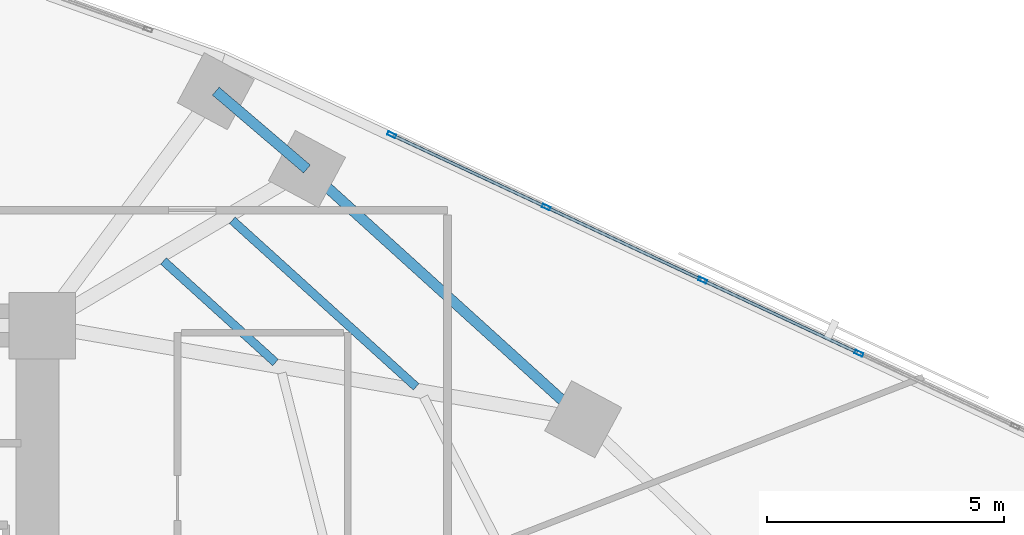
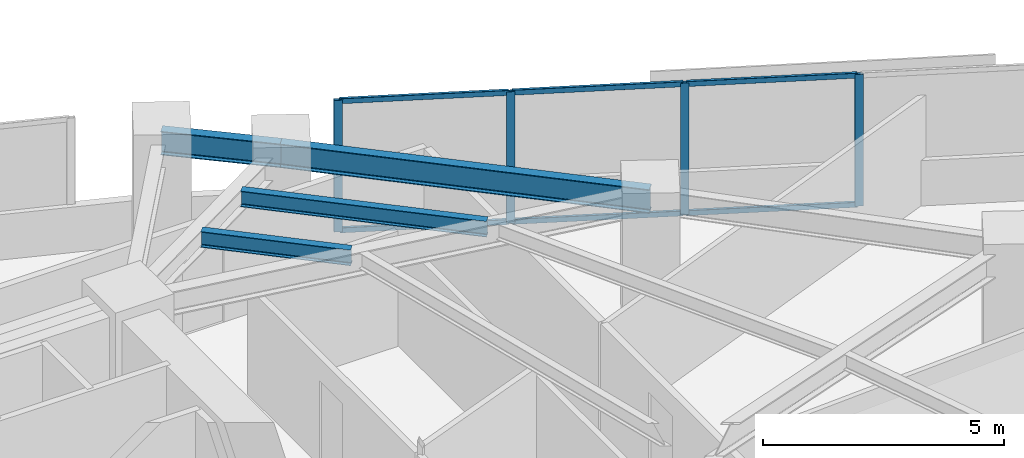
# One storey, part 4 of 17: 10 members, 4 beams, 1 element without a shape of its own.
"""IFC4 building model written with IfcOpenShell, lengths in metres."""

import ifcopenshell
import ifcopenshell.guid

model = None  # the IFC model being written
_history = None  # IfcOwnerHistory: only IFC2X3 demands one
_inside = {}  # id of a spatial element -> (the spatial element, [elements in it])
_under = {}  # id of a project, library or spatial element -> (it, [spatial elements below it])
_declared = {}  # id of a project -> (the project, [libraries it declares])
_typed = {}  # id of a type object -> (the type object, [elements of that type])
_made_of = {}  # id of a material, layer set ... -> (it, [elements and type objects made of it])


def new_model(schema):
    """Start an empty IFC model of exactly this schema.

    Asked for "IFC4X3", IfcOpenShell would pick the latest addendum, in which some entities
    have other attributes; the version numbers below select the first issue.
    IFC2X3 requires an IfcOwnerHistory on every rooted entity: one is made here for all.
    """
    global model, _history
    if schema == "IFC4X3":
        model = ifcopenshell.file(schema_version=(4, 3, 0, 0))
    else:
        model = ifcopenshell.file(schema=schema)
    _inside.clear()
    _under.clear()
    _declared.clear()
    _typed.clear()
    _made_of.clear()
    _history = None
    if model.schema == "IFC2X3":
        org = make("IfcOrganization", Name="unknown")
        user = make(
            "IfcPersonAndOrganization",
            ThePerson=make("IfcPerson", FamilyName="unknown"),
            TheOrganization=org,
        )
        app = make(
            "IfcApplication",
            ApplicationDeveloper=org,
            Version="unknown",
            ApplicationFullName="unknown",
            ApplicationIdentifier="unknown",
        )
        _history = make(
            "IfcOwnerHistory",
            OwningUser=user,
            OwningApplication=app,
            ChangeAction="ADDED",
            CreationDate=0,
        )
    return model


def make(cls, **values):
    """One entity of the class cls with the attributes given. An attribute that is None is left unset."""
    return model.create_entity(
        cls, **{name: value for name, value in values.items() if value is not None}
    )


def rooted(cls, **values):
    """An entity with a GlobalId (a new one), such as an element, a storey or a relation."""
    return make(cls, GlobalId=ifcopenshell.guid.new(), OwnerHistory=_history, **values)


def si_unit(unit_type, name, prefix=None):
    """IfcSIUnit, for example si_unit("LENGTHUNIT", "METRE", prefix="MILLI")."""
    return make("IfcSIUnit", UnitType=unit_type, Prefix=prefix, Name=name)


def assignment(units):
    """IfcUnitAssignment: the units of a project."""
    return None if units is None else make("IfcUnitAssignment", Units=units)


def point(xyz):
    """IfcCartesianPoint."""
    return None if xyz is None else make("IfcCartesianPoint", Coordinates=xyz)


def direction(xyz):
    """IfcDirection."""
    return None if xyz is None else make("IfcDirection", DirectionRatios=xyz)


def frame(location, z_axis=None, x_axis=None):
    """IfcAxis2Placement3D, a coordinate frame: its origin and axes. An axis left out is left unset."""
    return make(
        "IfcAxis2Placement3D",
        Location=point(location),
        Axis=direction(z_axis),
        RefDirection=direction(x_axis),
    )


def frame_2d(location, x_axis=None):
    """IfcAxis2Placement2D, a coordinate frame in the plane: its origin and x axis."""
    return make(
        "IfcAxis2Placement2D", Location=point(location), RefDirection=direction(x_axis)
    )


def origin():
    """The frame at (0, 0, 0) with its axes left unset."""
    return frame((0.0, 0.0, 0.0))


def origin_2d():
    """The frame at (0, 0) in the plane with its x axis left unset."""
    return frame_2d((0.0, 0.0))


def place(relative_to, where):
    """IfcLocalPlacement: puts the frame where relative to a parent placement (None: the world)."""
    return make(
        "IfcLocalPlacement", PlacementRelTo=relative_to, RelativePlacement=where
    )


def context(
    kind, dimensions, precision=None, world=None, true_north=None, identifier=None
):
    """IfcGeometricRepresentationContext, for example the 3D "Model" context."""
    return make(
        "IfcGeometricRepresentationContext",
        ContextIdentifier=identifier,
        ContextType=kind,
        CoordinateSpaceDimension=dimensions,
        Precision=precision,
        WorldCoordinateSystem=world,
        TrueNorth=true_north,
    )


def subcontext(parent, identifier, kind, view, scale=None):
    """IfcGeometricRepresentationSubContext, for example "Body" below "Model"."""
    return make(
        "IfcGeometricRepresentationSubContext",
        ContextIdentifier=identifier,
        ContextType=kind,
        ParentContext=parent,
        TargetScale=scale,
        TargetView=view,
    )


def project(units=None, contexts=None):
    """IfcProject with its units and contexts."""
    return rooted(
        "IfcProject",
        Name="project",
        RepresentationContexts=contexts,
        UnitsInContext=assignment(units),
    )


def spatial(cls, under=None, at=None, **own):
    """A site, building, storey or space (cls), placed at a placement, below another one or the project."""
    s = rooted(cls, ObjectPlacement=at, **own)
    if under is not None:
        _under.setdefault(under.id(), (under, []))[1].append(s)
    return s


def profile(cls, at=None, kind="AREA", **sizes):
    """A parametric profile (cls). Its sizes go by their IFC names, for example OverallWidth=200.0."""
    return make(cls, ProfileType=kind, Position=at, **sizes)


def hollow_rectangle(**sizes):
    """IfcRectangleHollowProfileDef."""
    return profile("IfcRectangleHollowProfileDef", **sizes)


def i_section(**sizes):
    """IfcIShapeProfileDef."""
    return profile("IfcIShapeProfileDef", **sizes)


def extrude(swept, where, along, depth):
    """IfcExtrudedAreaSolid: the profile swept, set in the frame where, extruded along a direction by depth."""
    return make(
        "IfcExtrudedAreaSolid",
        SweptArea=swept,
        Position=where,
        ExtrudedDirection=direction(along),
        Depth=depth,
    )


def shape(context_of_items, identifier, shape_type, items):
    """IfcShapeRepresentation: the items that make up one representation, for example the "Body"."""
    return make(
        "IfcShapeRepresentation",
        ContextOfItems=context_of_items,
        RepresentationIdentifier=identifier,
        RepresentationType=shape_type,
        Items=items,
    )


def material(Name=None, Category=None):
    """IfcMaterial."""
    return make("IfcMaterial", Name=Name, Category=Category)


def material_profile(
    of_material, cross_section, Name=None, Category=None, Priority=None
):
    """IfcMaterialProfile: a cross section and its material."""
    return make(
        "IfcMaterialProfile",
        Name=Name,
        Material=of_material,
        Profile=cross_section,
        Priority=Priority,
        Category=Category,
    )


def profile_set(profiles, Name=None, composite=None):
    """IfcMaterialProfileSet."""
    return make(
        "IfcMaterialProfileSet",
        Name=Name,
        MaterialProfiles=profiles,
        CompositeProfile=composite,
    )


def made_of(thing, what):
    """Note that an element or type object is made of a material, layer set ...; save() writes the relation."""
    if what is not None:
        _made_of.setdefault(what.id(), (what, []))[1].append(thing)
    return thing


def type_object(cls, material=None, **own):
    """A type object (cls), such as IfcWallType, which elements share."""
    return made_of(rooted(cls, **own), material)


def element(
    cls,
    number,
    at=None,
    inside=None,
    cuts=None,
    type_object=None,
    material=None,
    context=None,
    identifier="Body",
    shape_type=None,
    held_by="IfcProductDefinitionShape",
    body=None,
    shapes=None,
    **own,
):
    """One element of the class cls, such as IfcWall. Its Tag is "e" and its number.

    at: its placement. inside: the storey or other place that contains it. cuts: it is an
    opening in that element (IfcRelVoidsElement). A single representation is given by context,
    identifier, shape_type and body (its items); several are given by shapes. held_by: the class
    of the entity that holds the representations. save() writes the other relations.
    """
    e = rooted(cls, Tag="e%d" % number, ObjectPlacement=at, **own)
    if body is not None:
        shapes = [shape(context, identifier, shape_type, body)]
    if shapes is not None:
        e.Representation = make(held_by, Representations=shapes)
    if inside is not None:
        _inside.setdefault(inside.id(), (inside, []))[1].append(e)
    if cuts is not None:
        rooted(
            "IfcRelVoidsElement", RelatingBuildingElement=cuts, RelatedOpeningElement=e
        )
    if type_object is not None:
        _typed.setdefault(type_object.id(), (type_object, []))[1].append(e)
    return made_of(e, material)


def aggregate(whole, parts):
    """IfcRelAggregates: a whole, such as a stair, and the parts it consists of."""
    return rooted("IfcRelAggregates", RelatingObject=whole, RelatedObjects=parts)


def save(model, path):
    """Write the relations noted so far, then the file.

    IfcRelAggregates (storeys below a building ...), IfcRelContainedInSpatialStructure (elements
    in a storey), IfcRelDefinesByType, IfcRelAssociatesMaterial and IfcRelDeclares: one each for
    every whole, place, type object, material and project.
    """
    for whole, parts in _under.values():
        aggregate(whole, parts)
    for where, things in _inside.values():
        rooted(
            "IfcRelContainedInSpatialStructure",
            RelatedElements=things,
            RelatingStructure=where,
        )
    for kind, things in _typed.values():
        rooted("IfcRelDefinesByType", RelatedObjects=things, RelatingType=kind)
    for what, things in _made_of.values():
        rooted("IfcRelAssociatesMaterial", RelatedObjects=things, RelatingMaterial=what)
    for by, libraries in _declared.values():
        rooted("IfcRelDeclares", RelatingContext=by, RelatedDefinitions=libraries)
    model.write(path)


model = new_model("IFC4")

# Units and contexts
model_context = context("Model", 3, precision=1e-05, world=origin(), true_north=direction((0.0, 1.0)))
body_context = subcontext(model_context, "Body", "Model", "MODEL_VIEW")
ifc_project = project(units=[si_unit("LENGTHUNIT", "METRE"), si_unit("AREAUNIT", "SQUARE_METRE"), si_unit("VOLUMEUNIT", "CUBIC_METRE"), si_unit("PLANEANGLEUNIT", "RADIAN"), si_unit("MASSUNIT", "GRAM", prefix="KILO")], contexts=[model_context])

# Site, building, storey
site_placement = place(None, origin())
site = spatial("IfcSite", under=ifc_project, at=site_placement, CompositionType="ELEMENT")
building_placement = place(site_placement, origin())
building = spatial("IfcBuilding", under=site, at=building_placement, Name="Narakoshi Arena Tower", CompositionType="ELEMENT")
storey_placement = place(building_placement, frame((0.0, 0.0, 139.5)))
storey = spatial("IfcBuildingStorey", under=building, at=storey_placement, Name="L37", CompositionType="ELEMENT", Elevation=139.5)

# Beams
ifc_material_1 = material(Name="Structural steel S355J2", Category="steel")
ifc_material_profile_1 = material_profile(ifc_material_1, i_section(OverallWidth=0.219970703125, OverallDepth=0.60009765625, WebThickness=0.011962890625, FlangeThickness=0.01904296875, FilletRadius=0.02392578125, at=origin_2d()), Name="IPE600")
ifc_profile_set_1 = profile_set([ifc_material_profile_1], Name="Structural steel S355J2")
beam_type_1 = type_object("IfcBeamType", Name="BM-EDGE-600", PredefinedType="BEAM", material=ifc_profile_set_1)
beam_1_placement = place(storey_placement, frame((96.9443359375, 54.528076171875, 3.0400390625), z_axis=(-0.741140720169, 0.671349709844, 0.0), x_axis=(-0.671349709844, -0.741140720169, 0.0)))
element("IfcBeam", 1, at=beam_1_placement, inside=storey, type_object=beam_type_1, Name="L37 Perimeter Edge Girder 06", PredefinedType="BEAM", context=body_context, shape_type="SweptSolid", body=[
    extrude(i_section(OverallWidth=0.219970703125, OverallDepth=0.60009765625, WebThickness=0.011962890625, FlangeThickness=0.01904296875, FilletRadius=0.02392578125, at=origin_2d()), origin(), (0.0, 0.0, 1.0), 7.849853515625),
])
beam_2_placement = place(storey_placement, frame((91.12646484375, 59.798095703125, 3.0400390625), z_axis=(-0.760388602298, 0.649468377595, 0.0), x_axis=(-0.649468377595, -0.760388602298, 0.0)))
element("IfcBeam", 2, at=beam_2_placement, inside=storey, type_object=beam_type_1, Name="L37 Perimeter Edge Girder 07", PredefinedType="BEAM", context=body_context, shape_type="SweptSolid", body=[
    extrude(i_section(OverallWidth=0.219970703125, OverallDepth=0.60009765625, WebThickness=0.011962890625, FlangeThickness=0.01904296875, FilletRadius=0.02392578125, at=origin_2d()), origin(), (0.0, 0.0, 1.0), 2.524658203125),
])
ifc_material_profile_2 = material_profile(ifc_material_1, i_section(OverallWidth=0.179931640625, OverallDepth=0.39990234375, WebThickness=0.008544921875, FlangeThickness=0.013427734375, FilletRadius=0.02099609375, at=origin_2d()), Name="IPE400")
ifc_profile_set_2 = profile_set([ifc_material_profile_2], Name="Structural steel S355J2")
beam_type_2 = type_object("IfcBeamType", Name="BM-SEC-400", PredefinedType="JOIST", material=ifc_profile_set_2)
beam_3_placement = place(storey_placement, frame((90.46337890625, 55.722900390625, 3.139892578125), z_axis=(-0.741097827097, 0.671397058879, 0.0), x_axis=(-0.671397058879, -0.741097827097, 0.0)))
element("IfcBeam", 3, at=beam_3_placement, inside=storey, type_object=beam_type_2, Name="L37 Composite Secondary Floor Joist 05", PredefinedType="JOIST", context=body_context, shape_type="SweptSolid", body=[
    extrude(i_section(OverallWidth=0.179931640625, OverallDepth=0.39990234375, WebThickness=0.008544921875, FlangeThickness=0.013427734375, FilletRadius=0.02099609375, at=origin_2d()), origin(), (0.0, 0.0, 1.0), 3.183837890625),
])
beam_4_placement = place(storey_placement, frame((93.426025390625, 55.210205078125, 3.139892578125), z_axis=(-0.741148224451, 0.671341425351, 0.0), x_axis=(-0.671341425351, -0.741148224451, 0.0)))
element("IfcBeam", 4, at=beam_4_placement, inside=storey, type_object=beam_type_2, Name="L37 Composite Secondary Floor Joist 06", PredefinedType="JOIST", context=body_context, shape_type="SweptSolid", body=[
    extrude(i_section(OverallWidth=0.179931640625, OverallDepth=0.39990234375, WebThickness=0.008544921875, FlangeThickness=0.013427734375, FilletRadius=0.02099609375, at=origin_2d()), origin(), (0.0, 0.0, 1.0), 5.22509765625),
])

# Curtain wall, members
ifc_material_2 = material(Name="Anodised bronze aluminium 6063-T6", Category="aluminium")
curtain_wall_type = type_object("IfcCurtainWallType", Name="CW-HYP-MID", PredefinedType="NOTDEFINED", material=ifc_material_2)
curtain_wall_placement = place(storey_placement, origin())
curtain_wall = element("IfcCurtainWall", 5, at=curtain_wall_placement, inside=storey, type_object=curtain_wall_type, Name="L37 Folded Hypotenuse Curtain Wall 1-1", PredefinedType="NOTDEFINED")
ifc_material_profile_3 = material_profile(ifc_material_2, hollow_rectangle(XDim=0.074951171875, YDim=0.179931640625, WallThickness=0.00390625, OuterFilletRadius=0.0048828125, at=origin_2d()), Name="MUL180x75x4")
ifc_profile_set_3 = profile_set([ifc_material_profile_3], Name="Anodised bronze aluminium 6063-T6")
member_type_1 = type_object("IfcMemberType", Name="MEM-MUL-180", PredefinedType="MULLION", material=ifc_profile_set_3)
member_1_placement = place(storey_placement, frame((102.75048828125, 55.917236328125, 0.0), z_axis=(0.0, 0.0, 1.0), x_axis=(-0.423531721612, -0.905881273009, 0.0)))
member_1 = element("IfcMember", 6, at=member_1_placement, type_object=member_type_1, Name="CW-02 mullion 6", PredefinedType="MULLION", context=body_context, shape_type="SweptSolid", body=[
    extrude(hollow_rectangle(XDim=0.074951171875, YDim=0.179931640625, WallThickness=0.00390625, OuterFilletRadius=0.0048828125, at=origin_2d()), origin(), (0.0, 0.0, 1.0), 3.340087890625),
])
member_2_placement = place(storey_placement, frame((99.458984375, 57.4560546875, 0.0), z_axis=(0.0, 0.0, 1.0), x_axis=(-0.423531721612, -0.905881273009, 0.0)))
member_2 = element("IfcMember", 7, at=member_2_placement, type_object=member_type_1, Name="CW-02 mullion 7", PredefinedType="MULLION", context=body_context, shape_type="SweptSolid", body=[
    extrude(hollow_rectangle(XDim=0.074951171875, YDim=0.179931640625, WallThickness=0.00390625, OuterFilletRadius=0.0048828125, at=origin_2d()), origin(), (0.0, 0.0, 1.0), 3.340087890625),
])
member_3_placement = place(storey_placement, frame((96.16748046875, 58.994873046875, 0.0), z_axis=(0.0, 0.0, 1.0), x_axis=(-0.423531721612, -0.905881273009, 0.0)))
member_3 = element("IfcMember", 8, at=member_3_placement, type_object=member_type_1, Name="CW-02 mullion 8", PredefinedType="MULLION", context=body_context, shape_type="SweptSolid", body=[
    extrude(hollow_rectangle(XDim=0.074951171875, YDim=0.179931640625, WallThickness=0.00390625, OuterFilletRadius=0.0048828125, at=origin_2d()), origin(), (0.0, 0.0, 1.0), 3.340087890625),
])
member_4_placement = place(storey_placement, frame((92.91015625, 60.517822265625, 0.0), z_axis=(0.0, 0.0, 1.0), x_axis=(-0.423531721612, -0.905881273009, 0.0)))
member_4 = element("IfcMember", 9, at=member_4_placement, type_object=member_type_1, Name="CW-02 mullion 9", PredefinedType="MULLION", context=body_context, shape_type="SweptSolid", body=[
    extrude(hollow_rectangle(XDim=0.074951171875, YDim=0.179931640625, WallThickness=0.00390625, OuterFilletRadius=0.0048828125, at=origin_2d()), origin(), (0.0, 0.0, 1.0), 3.340087890625),
])
ifc_material_profile_4 = material_profile(ifc_material_2, hollow_rectangle(XDim=0.06494140625, YDim=0.1298828125, WallThickness=0.00390625, OuterFilletRadius=0.0048828125, at=origin_2d()), Name="TRN130x65x4")
ifc_profile_set_4 = profile_set([ifc_material_profile_4], Name="Anodised bronze aluminium 6063-T6")
member_type_2 = type_object("IfcMemberType", Name="MEM-TRN-130", PredefinedType="USERDEFINED", material=ifc_profile_set_4)
member_5_placement = place(storey_placement, frame((102.716552734375, 55.93310546875, 0.032470703125), z_axis=(-0.905877908574, 0.423538917642, 0.0), x_axis=(-0.423538917642, -0.905877908574, 0.0)))
member_5 = element("IfcMember", 10, at=member_5_placement, type_object=member_type_2, Name="CW-02 transom 6.1", ObjectType="TRANSOM", PredefinedType="USERDEFINED", context=body_context, shape_type="SweptSolid", body=[
    extrude(hollow_rectangle(XDim=0.06494140625, YDim=0.1298828125, WallThickness=0.00390625, OuterFilletRadius=0.0048828125, at=origin_2d()), origin(), (0.0, 0.0, 1.0), 3.558349609375),
])
member_6_placement = place(storey_placement, frame((102.716552734375, 55.93310546875, 3.3076171875), z_axis=(-0.905877908574, 0.423538917642, 0.0), x_axis=(-0.423538917642, -0.905877908574, 0.0)))
member_6 = element("IfcMember", 11, at=member_6_placement, type_object=member_type_2, Name="CW-02 transom 6.2", ObjectType="TRANSOM", PredefinedType="USERDEFINED", context=body_context, shape_type="SweptSolid", body=[
    extrude(hollow_rectangle(XDim=0.06494140625, YDim=0.1298828125, WallThickness=0.00390625, OuterFilletRadius=0.0048828125, at=origin_2d()), origin(), (0.0, 0.0, 1.0), 3.558349609375),
])
member_7_placement = place(storey_placement, frame((99.425048828125, 57.471923828125, 0.032470703125), z_axis=(-0.905877908574, 0.423538917642, 0.0), x_axis=(-0.423538917642, -0.905877908574, 0.0)))
member_7 = element("IfcMember", 12, at=member_7_placement, type_object=member_type_2, Name="CW-02 transom 7.1", ObjectType="TRANSOM", PredefinedType="USERDEFINED", context=body_context, shape_type="SweptSolid", body=[
    extrude(hollow_rectangle(XDim=0.06494140625, YDim=0.1298828125, WallThickness=0.00390625, OuterFilletRadius=0.0048828125, at=origin_2d()), origin(), (0.0, 0.0, 1.0), 3.558349609375),
])
member_8_placement = place(storey_placement, frame((99.425048828125, 57.471923828125, 3.3076171875), z_axis=(-0.905877908574, 0.423538917642, 0.0), x_axis=(-0.423538917642, -0.905877908574, 0.0)))
member_8 = element("IfcMember", 13, at=member_8_placement, type_object=member_type_2, Name="CW-02 transom 7.2", ObjectType="TRANSOM", PredefinedType="USERDEFINED", context=body_context, shape_type="SweptSolid", body=[
    extrude(hollow_rectangle(XDim=0.06494140625, YDim=0.1298828125, WallThickness=0.00390625, OuterFilletRadius=0.0048828125, at=origin_2d()), origin(), (0.0, 0.0, 1.0), 3.558349609375),
])
member_9_placement = place(storey_placement, frame((96.133544921875, 59.0107421875, 0.032470703125), z_axis=(-0.9058782068, 0.423538279787, 0.0), x_axis=(-0.423538279787, -0.9058782068, 0.0)))
member_9 = element("IfcMember", 14, at=member_9_placement, type_object=member_type_2, Name="CW-02 transom 8.1", ObjectType="TRANSOM", PredefinedType="USERDEFINED", context=body_context, shape_type="SweptSolid", body=[
    extrude(hollow_rectangle(XDim=0.06494140625, YDim=0.1298828125, WallThickness=0.00390625, OuterFilletRadius=0.0048828125, at=origin_2d()), origin(), (0.0, 0.0, 1.0), 3.520751953125),
])
member_10_placement = place(storey_placement, frame((96.133544921875, 59.0107421875, 3.3076171875), z_axis=(-0.9058782068, 0.423538279787, 0.0), x_axis=(-0.423538279787, -0.9058782068, 0.0)))
member_10 = element("IfcMember", 15, at=member_10_placement, type_object=member_type_2, Name="CW-02 transom 8.2", ObjectType="TRANSOM", PredefinedType="USERDEFINED", context=body_context, shape_type="SweptSolid", body=[
    extrude(hollow_rectangle(XDim=0.06494140625, YDim=0.1298828125, WallThickness=0.00390625, OuterFilletRadius=0.0048828125, at=origin_2d()), origin(), (0.0, 0.0, 1.0), 3.520751953125),
])
aggregate(curtain_wall, [member_1, member_2, member_3, member_4, member_5, member_6, member_7, member_8, member_9, member_10])

save(model, "model.ifc")
